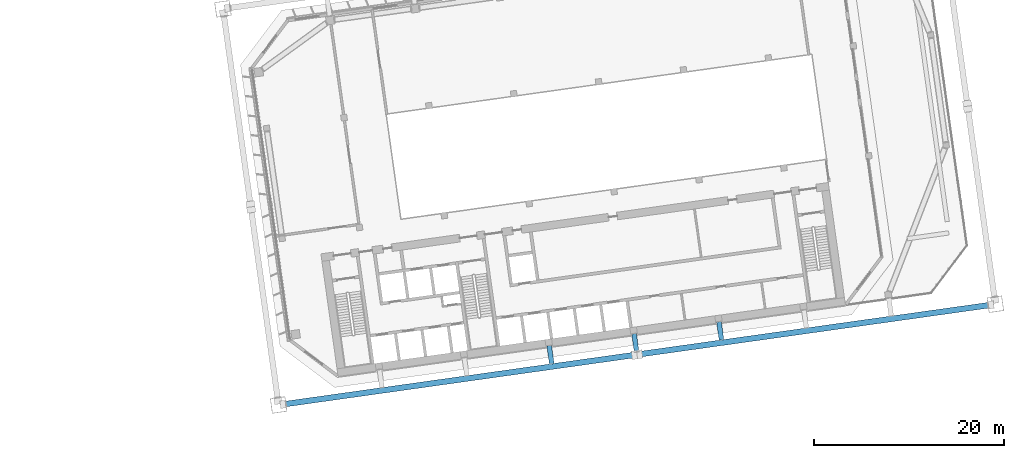
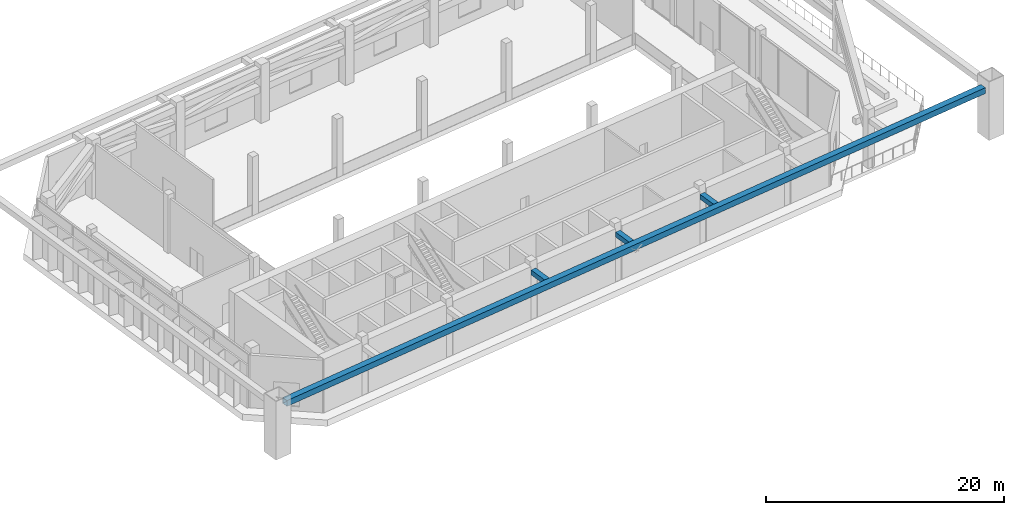
# One storey, part 13 of 41: 4 members.
"""IFC4 building model written with IfcOpenShell, lengths in metres."""

from ifc_helpers import new_model, si_unit, direction, frame, origin, origin_2d, place, context, subcontext, project, spatial, hollow_rectangle, extrude, material, material_profile, profile_set, type_object, element, save


model = new_model("IFC4")

# Units and contexts
model_context = context("Model", 3, precision=1e-05, world=origin(), true_north=direction((0.0, 1.0)))
body_context = subcontext(model_context, "Body", "Model", "MODEL_VIEW")
ifc_project = project(units=[si_unit("LENGTHUNIT", "METRE"), si_unit("AREAUNIT", "SQUARE_METRE"), si_unit("VOLUMEUNIT", "CUBIC_METRE"), si_unit("PLANEANGLEUNIT", "RADIAN"), si_unit("MASSUNIT", "GRAM", prefix="KILO")], contexts=[model_context])

# Site, building, storey
site_placement = place(None, origin())
site = spatial("IfcSite", under=ifc_project, at=site_placement, CompositionType="ELEMENT")
building_placement = place(site_placement, origin())
building = spatial("IfcBuilding", under=site, at=building_placement, Name="Mirante Cascada Hotel Towers", CompositionType="ELEMENT")
storey_placement = place(building_placement, frame((0.0, 0.0, 92.7)))
storey = spatial("IfcBuildingStorey", under=building, at=storey_placement, Name="L20", CompositionType="ELEMENT", Elevation=92.7)

# Members
ifc_material_1 = material(Name="Steel ASTM A572 Gr 50", Category="steel")
ifc_material_profile_1 = material_profile(ifc_material_1, hollow_rectangle(XDim=0.6, YDim=0.6, WallThickness=0.04, at=origin_2d()), Name="Box chord 600x600x40 ASTM A572 Gr 50")
ifc_profile_set_1 = profile_set([ifc_material_profile_1], Name="Steel ASTM A572 Gr 50")
member_type_1 = type_object("IfcMemberType", Name="Box chord 600x600x40 ASTM A572 Gr 50", PredefinedType="CHORD", material=ifc_profile_set_1)
member_1_placement = place(storey_placement, frame((31.7145, -22.9654, 4.85), z_axis=(0.9902682, 0.1391724, 0.0), x_axis=(-0.1391724, 0.9902682, 0.0)))
element("IfcMember", 1, at=member_1_placement, inside=storey, type_object=member_type_1, Name="exochord T2 L20 2", PredefinedType="CHORD", context=body_context, shape_type="SweptSolid", body=[
    extrude(hollow_rectangle(XDim=0.6, YDim=0.6, WallThickness=0.04, at=origin_2d()), origin(), (0.0, 0.0, 1.0), 74.44),
])
ifc_material_2 = material(Name="Steel ASTM A572 Gr 50", Category="steel")
ifc_material_profile_2 = material_profile(ifc_material_2, hollow_rectangle(XDim=0.5, YDim=0.5, WallThickness=0.035, at=origin_2d()), Name="Box tie 500x500x35 ASTM A572 Gr 50")
ifc_profile_set_2 = profile_set([ifc_material_profile_2], Name="Steel ASTM A572 Gr 50")
member_type_2 = type_object("IfcMemberType", Name="Box tie 500x500x35 ASTM A572 Gr 50", PredefinedType="STRUT", material=ifc_profile_set_2)
for number, where, z_axis, x_axis, name in (
    (2, (59.3509, -16.8396, 4.85), (0.1391766, -0.9902676, 0.0), (0.9902676, 0.1391766, 0.0), "tie T2 L20 6"),
    (3, (68.2633, -15.587, 4.85), (0.1391766, -0.9902676, 0.0), (0.9902676, 0.1391766, 0.0), "tie T2 L20 8"),
):
    element("IfcMember", number, at=place(storey_placement, frame(where, z_axis=z_axis, x_axis=x_axis)), inside=storey, type_object=member_type_2, Name=name, PredefinedType="STRUT", context=body_context, shape_type="SweptSolid", body=[
        extrude(hollow_rectangle(XDim=0.5, YDim=0.5, WallThickness=0.035, at=origin_2d()), origin(), (0.0, 0.0, 1.0), 1.94),
    ])
member_2_placement = place(storey_placement, frame((77.1757, -14.3344, 4.85), z_axis=(0.1391695, -0.9902686, 0.0), x_axis=(0.9902686, 0.1391695, 0.0)))
element("IfcMember", 4, at=member_2_placement, inside=storey, type_object=member_type_2, Name="tie T2 L20 10", PredefinedType="STRUT", context=body_context, shape_type="SweptSolid", body=[
    extrude(hollow_rectangle(XDim=0.5, YDim=0.5, WallThickness=0.035, at=origin_2d()), origin(), (0.0, 0.0, 1.0), 1.9401),
])

save(model, "model.ifc")
